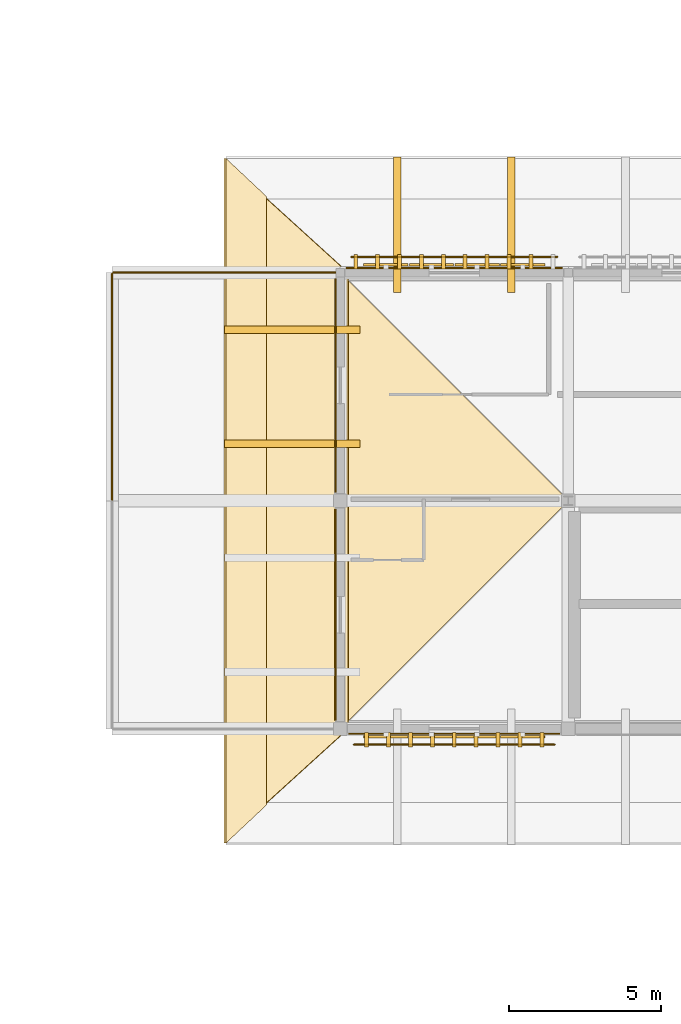
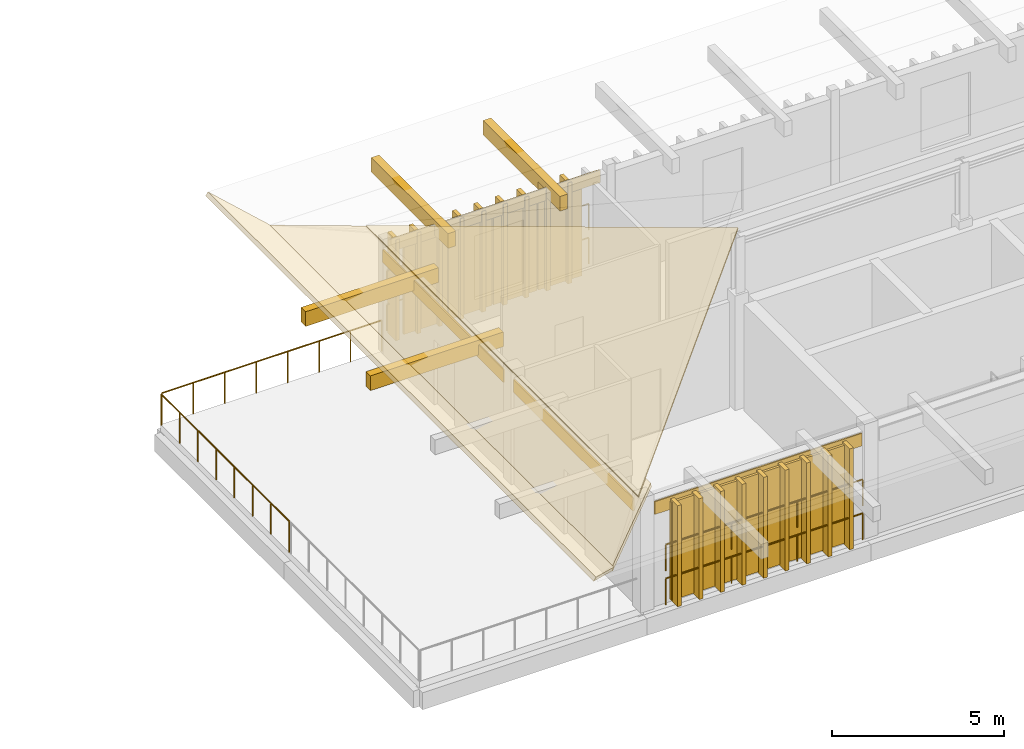
# One storey, part 28 of 33: 29 coverings, 8 shading devices, 6 railings.
"""IFC4 building model written with IfcOpenShell, lengths in metres."""

from ifc_helpers import new_model, si_unit, direction, frame, origin, origin_2d, place, context, subcontext, project, spatial, polyline, rectangle, circle, outline, extrude, material, layer, layer_set, type_object, element, save


model = new_model("IFC4")

# Units and contexts
model_context = context("Model", 3, precision=1e-05, world=origin(), true_north=direction((0.0, 1.0)))
body_context = subcontext(model_context, "Body", "Model", "MODEL_VIEW")
ifc_project = project(units=[si_unit("LENGTHUNIT", "METRE"), si_unit("AREAUNIT", "SQUARE_METRE"), si_unit("VOLUMEUNIT", "CUBIC_METRE"), si_unit("PLANEANGLEUNIT", "RADIAN"), si_unit("MASSUNIT", "GRAM", prefix="KILO")], contexts=[model_context])

# Site, building, storey
site_placement = place(None, origin())
site = spatial("IfcSite", under=ifc_project, at=site_placement, CompositionType="ELEMENT")
building_placement = place(site_placement, origin())
building = spatial("IfcBuilding", under=site, at=building_placement, Name="Dalvernix Boulevard General Hospital", CompositionType="ELEMENT")
storey_placement = place(building_placement, frame((0.0, 0.0, 21.89990234375)))
storey = spatial("IfcBuildingStorey", under=building, at=storey_placement, Name="L05", CompositionType="ELEMENT", Elevation=21.89990234375)

# Coverings
ifc_material_1 = material(Name="Polychrome Catalan glazed ceramic spandrel tile panel")
ifc_layer_1 = layer(ifc_material_1, 0.044921875)
ifc_layer_set_1 = layer_set([ifc_layer_1], Name="Polychrome Catalan glazed ceramic spandrel tile panel (COV-CLD-01)")
covering_type_1 = type_object("IfcCoveringType", Name="COV-CLD-01", PredefinedType="CLADDING", material=ifc_layer_set_1)
for number, where, z_axis, x_axis, name in (
    (1, (123.75, 7.340087890625, 3.294921875), (0.0, 0.0, 1.0), (-1.0, 0.0, 0.0), "L05 polychrome ceramic spandrel S 16-1"),
    (2, (119.840087890625, 11.25, 3.294921875), (0.0, 0.0, 1.0), (0.0, 1.0, 0.0), "L05 polychrome ceramic spandrel W 16-1"),
):
    element("IfcCovering", number, at=place(storey_placement, frame(where, z_axis=z_axis, x_axis=x_axis)), inside=storey, type_object=covering_type_1, Name=name, PredefinedType="CLADDING", context=body_context, shape_type="SweptSolid", body=[
        extrude(rectangle(XDim=6.929931640625, YDim=0.044921875, at=origin_2d()), origin(), (0.0, 0.0, 1.0), 0.449951171875),
    ])
covering_1_placement = place(storey_placement, frame((123.75, 22.659912109375, 3.294921875), z_axis=(0.0, 0.0, 1.0), x_axis=(1.0, 0.0, 0.0)))
element("IfcCovering", 3, at=covering_1_placement, inside=storey, type_object=covering_type_1, Name="L05 polychrome ceramic spandrel N 16-3", PredefinedType="CLADDING", context=body_context, shape_type="SweptSolid", body=[
    extrude(rectangle(XDim=7.10009765625, YDim=0.044921875, at=origin_2d()), origin(), (0.0, 0.0, 1.0), 0.449951171875),
])
covering_2_placement = place(storey_placement, frame((119.840087890625, 18.79248046875, 3.294921875), z_axis=(0.0, 0.0, 1.0), x_axis=(0.0, 1.0, 0.0)))
element("IfcCovering", 4, at=covering_2_placement, inside=storey, type_object=covering_type_1, Name="L05 polychrome ceramic spandrel W 16-2", PredefinedType="CLADDING", context=body_context, shape_type="SweptSolid", body=[
    extrude(rectangle(XDim=7.014892578125, YDim=0.044921875, at=origin_2d()), origin(), (0.0, 0.0, 1.0), 0.449951171875),
])
ifc_material_2 = material(Name="Glazed Catalan terracotta and iroko timber overhanging upturned eave", Category="masonry")
ifc_layer_2 = layer(ifc_material_2, 0.139892578125)
ifc_layer_set_2 = layer_set([ifc_layer_2], Name="Glazed Catalan terracotta and iroko timber overhanging upturned eave (COV-EAVE-01)")
covering_type_2 = type_object("IfcCoveringType", Name="COV-EAVE-01", PredefinedType="CLADDING", material=ifc_layer_set_2)
covering_3_placement = place(storey_placement, frame((120.25, 22.5, 4.31005859375), z_axis=(-0.185805173125, 0.0, 0.982586605669), x_axis=(0.0, -1.0, 0.0)))
element("IfcCovering", 5, at=covering_3_placement, inside=storey, type_object=covering_type_2, Name="V5 overhanging ceramic eave skirt W", PredefinedType="CLADDING", context=body_context, shape_type="SweptSolid", body=[
    extrude(outline(polyline([(0.0, 0.0), (15.0, 0.0), (17.5, -2.798735484621844), (-2.5, -2.798735484621844), (0.0, 0.0)])), origin(), (0.0, 0.0, -1.0), 0.139892578125),
])
covering_4_placement = place(storey_placement, frame((117.580078125, 25.0, 3.7900390625), z_axis=(0.543014792189, 0.0, 0.839723130242), x_axis=(0.0, -1.0, 0.0)))
element("IfcCovering", 6, at=covering_4_placement, inside=storey, type_object=covering_type_2, Name="V5 upturned ceramic eave wing W", PredefinedType="CLADDING", context=body_context, shape_type="SweptSolid", body=[
    extrude(outline(polyline([(0.0, 0.0), (20.0, 0.0), (21.25, -1.5839484195414872), (-1.25, -1.5839484195414872), (0.0, 0.0)])), origin(), (0.0, 0.0, -1.0), 0.139892578125),
])
ifc_material_3 = material(Name="Preservative-treated glulam GL28h eave outlooker corbel bracket", Category="wood")
ifc_layer_3 = layer(ifc_material_3, 0.239990234375)
ifc_layer_set_3 = layer_set([ifc_layer_3], Name="Preservative-treated glulam GL28h eave outlooker corbel bracket (COV-OUTLOOK-01)")
covering_type_3 = type_object("IfcCoveringType", Name="COV-OUTLOOK-01", PredefinedType="CLADDING", material=ifc_layer_set_3)
for number, where, z_axis, x_axis, name in (
    (7, (121.875, 24.074951171875, 3.39013671875), (0.0, 0.0, 1.0), (1.0, 0.0, 0.0), "V5 glulam eave outlooker corbel N-1"),
    (8, (125.625, 24.074951171875, 3.39013671875), (0.0, 0.0, 1.0), (1.0, 0.0, 0.0), "V5 glulam eave outlooker corbel N-2"),
):
    element("IfcCovering", number, at=place(storey_placement, frame(where, z_axis=z_axis, x_axis=x_axis)), inside=storey, type_object=covering_type_3, Name=name, PredefinedType="CLADDING", context=body_context, shape_type="SweptSolid", body=[
        extrude(rectangle(XDim=0.260009765625, YDim=4.449951171875, at=origin_2d()), origin(), (0.0, 0.0, 1.0), 0.52001953125),
    ])
for number, where, z_axis, x_axis, name in (
    (9, (118.425048828125, 16.875, 3.39013671875), (0.0, 0.0, 1.0), (1.0, 0.0, 0.0), "V5 glulam eave outlooker corbel W-3"),
    (10, (118.425048828125, 20.625, 3.39013671875), (0.0, 0.0, 1.0), (1.0, 0.0, 0.0), "V5 glulam eave outlooker corbel W-4"),
):
    element("IfcCovering", number, at=place(storey_placement, frame(where, z_axis=z_axis, x_axis=x_axis)), inside=storey, type_object=covering_type_3, Name=name, PredefinedType="CLADDING", context=body_context, shape_type="SweptSolid", body=[
        extrude(rectangle(XDim=4.449951171875, YDim=0.260009765625, at=origin_2d()), origin(), (0.0, 0.0, 1.0), 0.52001953125),
    ])
ifc_material_4 = material(Name="Polychrome Catalan glazed terracotta roof tiles", Category="masonry")
ifc_layer_4 = layer(ifc_material_4, 0.050048828125)
ifc_layer_set_4 = layer_set([ifc_layer_4], Name="Polychrome Catalan glazed terracotta roof tiles (COV-ROOF-01)")
covering_type_4 = type_object("IfcCoveringType", Name="COV-ROOF-01", PredefinedType="ROOFING", material=ifc_layer_set_4)
covering_5_placement = place(storey_placement, frame((119.60009765625, 22.89990234375, 4.320068359375), z_axis=(-0.238536653022, 0.0, 0.971133495028), x_axis=(0.0, -1.0, 0.0)))
element("IfcCovering", 11, at=covering_5_placement, inside=storey, type_object=covering_type_4, Name="V5 glazed terracotta tile slope W", PredefinedType="ROOFING", context=body_context, shape_type="SweptSolid", body=[
    extrude(outline(polyline([(0.0, 0.0), (15.7998046875, 0.0), (7.89990234375, 8.13472337654564), (0.0, 0.0)])), origin(), (0.0, 0.0, -1.0), 0.050048828125),
])
ifc_material_5 = material(Name="Preservative-treated West African iroko timber lattice screen", Category="wood")
ifc_layer_5 = layer(ifc_material_5, 0.1201171875)
ifc_layer_set_5 = layer_set([ifc_layer_5], Name="Preservative-treated West African iroko timber lattice screen (COV-TSCR-01)")
covering_type_5 = type_object("IfcCoveringType", Name="COV-TSCR-01", PredefinedType="CLADDING", material=ifc_layer_set_5)
for number, where, z_axis, x_axis, name in (
    (12, (126.6298828125, 7.139892578125, 0.10009765625), (0.0, 0.0, 1.0), (-1.0, 0.0, 0.0), "L05 upper-ward timber screen blade S 16-1-1"),
    (13, (125.909912109375, 7.139892578125, 0.10009765625), (0.0, 0.0, 1.0), (-1.0, 0.0, 0.0), "L05 upper-ward timber screen blade S 16-1-2"),
    (14, (125.18994140625, 7.139892578125, 0.10009765625), (0.0, 0.0, 1.0), (-1.0, 0.0, 0.0), "L05 upper-ward timber screen blade S 16-1-3"),
    (15, (124.469970703125, 7.139892578125, 0.10009765625), (0.0, 0.0, 1.0), (-1.0, 0.0, 0.0), "L05 upper-ward timber screen blade S 16-1-4"),
    (16, (123.75, 7.139892578125, 0.10009765625), (0.0, 0.0, 1.0), (-1.0, 0.0, 0.0), "L05 upper-ward timber screen blade S 16-1-5"),
    (17, (123.030029296875, 7.139892578125, 0.10009765625), (0.0, 0.0, 1.0), (-1.0, 0.0, 0.0), "L05 upper-ward timber screen blade S 16-1-6"),
    (18, (122.31005859375, 7.139892578125, 0.10009765625), (0.0, 0.0, 1.0), (-1.0, 0.0, 0.0), "L05 upper-ward timber screen blade S 16-1-7"),
    (19, (121.590087890625, 7.139892578125, 0.10009765625), (0.0, 0.0, 1.0), (-1.0, 0.0, 0.0), "L05 upper-ward timber screen blade S 16-1-8"),
    (20, (120.8701171875, 7.139892578125, 0.10009765625), (0.0, 0.0, 1.0), (-1.0, 0.0, 0.0), "L05 upper-ward timber screen blade S 16-1-9"),
    (21, (120.510009765625, 22.860107421875, 0.10009765625), (0.0, 0.0, 1.0), (1.0, 0.0, 0.0), "L05 upper-ward timber screen blade N 16-3-1"),
    (22, (121.22998046875, 22.860107421875, 0.10009765625), (0.0, 0.0, 1.0), (1.0, 0.0, 0.0), "L05 upper-ward timber screen blade N 16-3-2"),
    (23, (121.949951171875, 22.860107421875, 0.10009765625), (0.0, 0.0, 1.0), (1.0, 0.0, 0.0), "L05 upper-ward timber screen blade N 16-3-3"),
    (24, (122.669921875, 22.860107421875, 0.10009765625), (0.0, 0.0, 1.0), (1.0, 0.0, 0.0), "L05 upper-ward timber screen blade N 16-3-4"),
    (25, (123.389892578125, 22.860107421875, 0.10009765625), (0.0, 0.0, 1.0), (1.0, 0.0, 0.0), "L05 upper-ward timber screen blade N 16-3-5"),
    (26, (124.110107421875, 22.860107421875, 0.10009765625), (0.0, 0.0, 1.0), (1.0, 0.0, 0.0), "L05 upper-ward timber screen blade N 16-3-6"),
    (27, (124.830078125, 22.860107421875, 0.10009765625), (0.0, 0.0, 1.0), (1.0, 0.0, 0.0), "L05 upper-ward timber screen blade N 16-3-7"),
    (28, (125.550048828125, 22.860107421875, 0.10009765625), (0.0, 0.0, 1.0), (1.0, 0.0, 0.0), "L05 upper-ward timber screen blade N 16-3-8"),
    (29, (126.27001953125, 22.860107421875, 0.10009765625), (0.0, 0.0, 1.0), (1.0, 0.0, 0.0), "L05 upper-ward timber screen blade N 16-3-9"),
):
    element("IfcCovering", number, at=place(storey_placement, frame(where, z_axis=z_axis, x_axis=x_axis)), inside=storey, type_object=covering_type_5, Name=name, PredefinedType="CLADDING", context=body_context, shape_type="SweptSolid", body=[
        extrude(rectangle(XDim=0.1298828125, YDim=0.47998046875, at=origin_2d()), origin(), (0.0, 0.0, 1.0), 3.570068359375),
    ])

# Railings
ifc_material_6 = material(Name="Powder-coated galvanized steel balustrade", Category="steel")
railing_type_1 = type_object("IfcRailingType", Name="RL-GR-EXT1", PredefinedType="BALUSTRADE", material=ifc_material_6)
railing_1_placement = place(storey_placement, frame((112.5, 15.0400390625, 0.0)))
element("IfcRailing", 30, at=railing_1_placement, inside=storey, type_object=railing_type_1, Name="L05 terrace safety balustrade 7", PredefinedType="BALUSTRADE", context=body_context, shape_type="SweptSolid", body=[
    extrude(circle(Radius=0.02392578125, at=origin_2d()), frame((0.0, 0.0, 1.09619140625), z_axis=(0.0, 1.0, 0.0), x_axis=(-1.0, 0.0, 0.0)), (0.0, 0.0, 1.0), 7.419921875),
    extrude(circle(Radius=0.02099609375, at=origin_2d()), origin(), (0.0, 0.0, 1.0), 1.072021484375),
    extrude(circle(Radius=0.02099609375, at=origin_2d()), frame((0.0, 1.06005859375, 0.0)), (0.0, 0.0, 1.0), 1.072021484375),
    extrude(circle(Radius=0.02099609375, at=origin_2d()), frame((0.0, 2.119873046875, 0.0)), (0.0, 0.0, 1.0), 1.072021484375),
    extrude(circle(Radius=0.02099609375, at=origin_2d()), frame((0.0, 3.179931640625, 0.0)), (0.0, 0.0, 1.0), 1.072021484375),
    extrude(circle(Radius=0.02099609375, at=origin_2d()), frame((0.0, 4.239990234375, 0.0)), (0.0, 0.0, 1.0), 1.072021484375),
    extrude(circle(Radius=0.02099609375, at=origin_2d()), frame((0.0, 5.300048828125, 0.0)), (0.0, 0.0, 1.0), 1.072021484375),
    extrude(circle(Radius=0.02099609375, at=origin_2d()), frame((0.0, 6.35986328125, 0.0)), (0.0, 0.0, 1.0), 1.072021484375),
    extrude(circle(Radius=0.02099609375, at=origin_2d()), frame((0.0, 7.419921875, 0.0)), (0.0, 0.0, 1.0), 1.072021484375),
])
railing_2_placement = place(storey_placement, frame((112.5400390625, 22.5, 0.0)))
element("IfcRailing", 31, at=railing_2_placement, inside=storey, type_object=railing_type_1, Name="L05 terrace safety balustrade 8", PredefinedType="BALUSTRADE", context=body_context, shape_type="SweptSolid", body=[
    extrude(circle(Radius=0.02392578125, at=origin_2d()), frame((0.0, 0.0, 1.09619140625), z_axis=(1.0, 0.0, 0.0), x_axis=(0.0, 1.0, 0.0)), (0.0, 0.0, 1.0), 7.369873046875),
    extrude(circle(Radius=0.02099609375, at=origin_2d()), origin(), (0.0, 0.0, 1.0), 1.072021484375),
    extrude(circle(Radius=0.02099609375, at=origin_2d()), frame((1.052734375, 0.0, 0.0)), (0.0, 0.0, 1.0), 1.072021484375),
    extrude(circle(Radius=0.02099609375, at=origin_2d()), frame((2.105712890625, 0.0, 0.0)), (0.0, 0.0, 1.0), 1.072021484375),
    extrude(circle(Radius=0.02099609375, at=origin_2d()), frame((3.158447265625, 0.0, 0.0)), (0.0, 0.0, 1.0), 1.072021484375),
    extrude(circle(Radius=0.02099609375, at=origin_2d()), frame((4.21142578125, 0.0, 0.0)), (0.0, 0.0, 1.0), 1.072021484375),
    extrude(circle(Radius=0.02099609375, at=origin_2d()), frame((5.26416015625, 0.0, 0.0)), (0.0, 0.0, 1.0), 1.072021484375),
    extrude(circle(Radius=0.02099609375, at=origin_2d()), frame((6.317138671875, 0.0, 0.0)), (0.0, 0.0, 1.0), 1.072021484375),
    extrude(circle(Radius=0.02099609375, at=origin_2d()), frame((7.369873046875, 0.0, 0.0)), (0.0, 0.0, 1.0), 1.072021484375),
])
ifc_material_7 = material(Name="Preservative-treated iroko timber horizontal screen louver rail", Category="wood")
railing_type_2 = type_object("IfcRailingType", Name="RL-TSCR-01", PredefinedType="BALUSTRADE", material=ifc_material_7)
for number, where, name in (
    (32, (127.044921875, 6.97998046875, 0.25), "L05 upper-ward horizontal timber screen louver S 16-1-1"),
    (33, (127.044921875, 6.97998046875, 1.4501953125), "L05 upper-ward horizontal timber screen louver S 16-1-2"),
):
    element("IfcRailing", number, at=place(storey_placement, frame(where)), inside=storey, type_object=railing_type_2, Name=name, PredefinedType="BALUSTRADE", context=body_context, shape_type="SweptSolid", body=[
        extrude(circle(Radius=0.02392578125, at=origin_2d()), frame((0.0, 0.0, 0.92578125), z_axis=(-1.0, 0.0, 0.0), x_axis=(0.0, -1.0, 0.0)), (0.0, 0.0, 1.0), 6.58984375),
        extrude(circle(Radius=0.02099609375, at=origin_2d()), origin(), (0.0, 0.0, 1.0), 0.90185546875),
        extrude(circle(Radius=0.02099609375, at=origin_2d()), frame((-1.098388671875, 0.0, 0.0)), (0.0, 0.0, 1.0), 0.90185546875),
        extrude(circle(Radius=0.02099609375, at=origin_2d()), frame((-2.196533203125, 0.0, 0.0)), (0.0, 0.0, 1.0), 0.90185546875),
        extrude(circle(Radius=0.02099609375, at=origin_2d()), frame((-3.294921875, 0.0, 0.0)), (0.0, 0.0, 1.0), 0.90185546875),
        extrude(circle(Radius=0.02099609375, at=origin_2d()), frame((-4.393310546875, 0.0, 0.0)), (0.0, 0.0, 1.0), 0.90185546875),
        extrude(circle(Radius=0.02099609375, at=origin_2d()), frame((-5.491455078125, 0.0, 0.0)), (0.0, 0.0, 1.0), 0.90185546875),
        extrude(circle(Radius=0.02099609375, at=origin_2d()), frame((-6.58984375, 0.0, 0.0)), (0.0, 0.0, 1.0), 0.90185546875),
    ])
for number, where, name in (
    (34, (120.3701171875, 23.02001953125, 0.25), "L05 upper-ward horizontal timber screen louver N 16-3-1"),
    (35, (120.3701171875, 23.02001953125, 1.4501953125), "L05 upper-ward horizontal timber screen louver N 16-3-2"),
):
    element("IfcRailing", number, at=place(storey_placement, frame(where)), inside=storey, type_object=railing_type_2, Name=name, PredefinedType="BALUSTRADE", context=body_context, shape_type="SweptSolid", body=[
        extrude(circle(Radius=0.02392578125, at=origin_2d()), frame((0.0, 0.0, 0.92578125), z_axis=(1.0, 0.0, 0.0), x_axis=(0.0, 1.0, 0.0)), (0.0, 0.0, 1.0), 6.759765625),
        extrude(circle(Radius=0.02099609375, at=origin_2d()), origin(), (0.0, 0.0, 1.0), 0.90185546875),
        extrude(circle(Radius=0.02099609375, at=origin_2d()), frame((1.126708984375, 0.0, 0.0)), (0.0, 0.0, 1.0), 0.90185546875),
        extrude(circle(Radius=0.02099609375, at=origin_2d()), frame((2.253173828125, 0.0, 0.0)), (0.0, 0.0, 1.0), 0.90185546875),
        extrude(circle(Radius=0.02099609375, at=origin_2d()), frame((3.3798828125, 0.0, 0.0)), (0.0, 0.0, 1.0), 0.90185546875),
        extrude(circle(Radius=0.02099609375, at=origin_2d()), frame((4.506591796875, 0.0, 0.0)), (0.0, 0.0, 1.0), 0.90185546875),
        extrude(circle(Radius=0.02099609375, at=origin_2d()), frame((5.633056640625, 0.0, 0.0)), (0.0, 0.0, 1.0), 0.90185546875),
        extrude(circle(Radius=0.02099609375, at=origin_2d()), frame((6.759765625, 0.0, 0.0)), (0.0, 0.0, 1.0), 0.90185546875),
    ])

# Shading devices
ifc_material_8 = material(Name="Perforated iroko timber and glazed ceramic screen (30 percent open)", Category="wood")
shading_device_type = type_object("IfcShadingDeviceType", Name="SHD-SCR-01", PredefinedType="USERDEFINED", material=ifc_material_8)
for number, where, z_axis, x_axis, name in (
    (36, (126.0, 7.239990234375, 0.14990234375), (0.0, 0.0, 1.0), (-1.0, 0.0, 0.0), "L05 perforated timber screen 1"),
    (37, (124.5, 7.239990234375, 0.14990234375), (0.0, 0.0, 1.0), (-1.0, 0.0, 0.0), "L05 perforated timber screen 2"),
    (38, (123.0, 7.239990234375, 0.14990234375), (0.0, 0.0, 1.0), (-1.0, 0.0, 0.0), "L05 perforated timber screen 3"),
    (39, (121.5, 7.239990234375, 0.14990234375), (0.0, 0.0, 1.0), (-1.0, 0.0, 0.0), "L05 perforated timber screen 4"),
    (40, (121.5, 22.760009765625, 0.14990234375), (0.0, 0.0, 1.0), (1.0, 0.0, 0.0), "L05 perforated timber screen 1"),
    (41, (123.0, 22.760009765625, 0.14990234375), (0.0, 0.0, 1.0), (1.0, 0.0, 0.0), "L05 perforated timber screen 2"),
    (42, (124.5, 22.760009765625, 0.14990234375), (0.0, 0.0, 1.0), (1.0, 0.0, 0.0), "L05 perforated timber screen 3"),
    (43, (126.0, 22.760009765625, 0.14990234375), (0.0, 0.0, 1.0), (1.0, 0.0, 0.0), "L05 perforated timber screen 4"),
):
    element("IfcShadingDevice", number, at=place(storey_placement, frame(where, z_axis=z_axis, x_axis=x_axis)), inside=storey, type_object=shading_device_type, Name=name, ObjectType="SCREEN", PredefinedType="USERDEFINED", context=body_context, shape_type="SweptSolid", body=[
        extrude(rectangle(XDim=1.4599609375, YDim=0.080078125, at=origin_2d()), origin(), (0.0, 0.0, 1.0), 3.469970703125),
    ])

save(model, "model.ifc")
